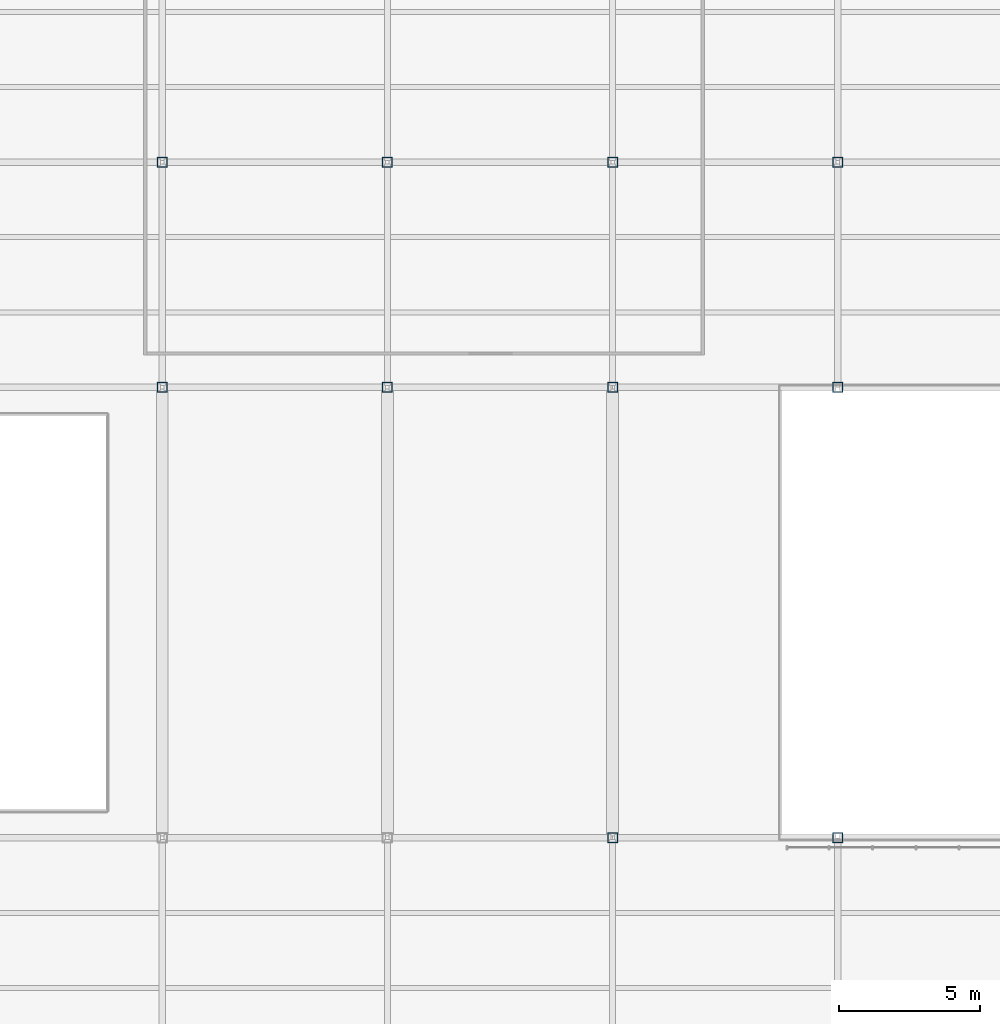
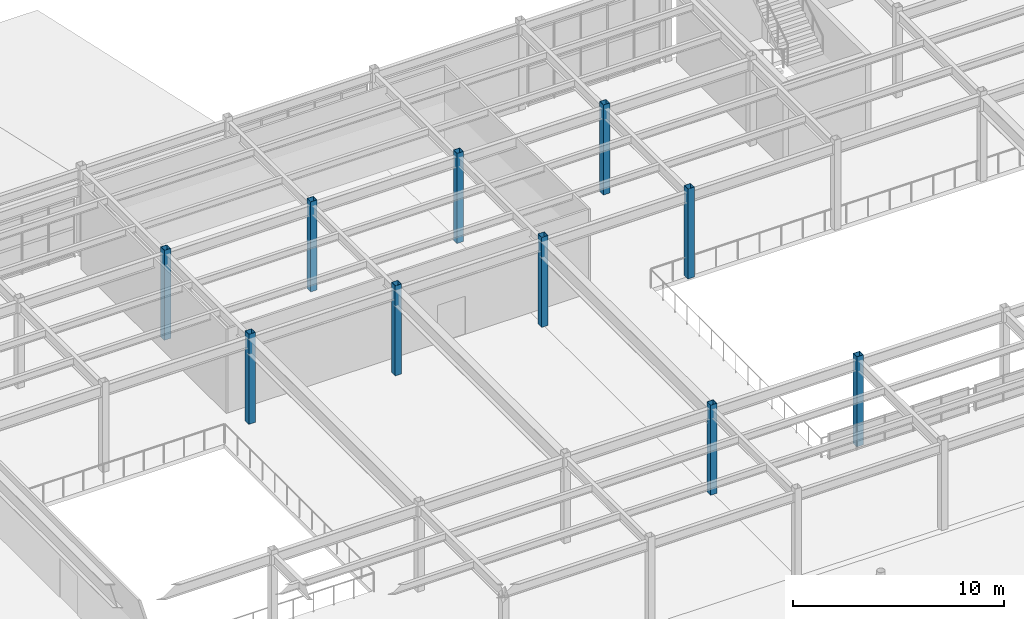
# One storey, part 9 of 77: 10 columns.
"""IFC4 building model written with IfcOpenShell, lengths in metres."""

from ifc_helpers import new_model, si_unit, direction, frame, origin, origin_2d, place, context, subcontext, project, spatial, hollow_rectangle, extrude, material, material_profile, profile_set, type_object, element, save


model = new_model("IFC4")

# Units and contexts
model_context = context("Model", 3, precision=1e-05, world=origin(), true_north=direction((0.0, 1.0)))
body_context = subcontext(model_context, "Body", "Model", "MODEL_VIEW")
ifc_project = project(units=[si_unit("LENGTHUNIT", "METRE"), si_unit("AREAUNIT", "SQUARE_METRE"), si_unit("VOLUMEUNIT", "CUBIC_METRE"), si_unit("PLANEANGLEUNIT", "RADIAN"), si_unit("MASSUNIT", "GRAM", prefix="KILO")], contexts=[model_context])

# Site, building, storey
site_placement = place(None, origin())
site = spatial("IfcSite", under=ifc_project, at=site_placement, CompositionType="ELEMENT")
building_placement = place(site_placement, origin())
building = spatial("IfcBuilding", under=site, at=building_placement, Name="Drelvath Fold Interchange", CompositionType="ELEMENT")
storey_placement = place(building_placement, frame((0.0, 0.0, 6.0)))
storey = spatial("IfcBuildingStorey", under=building, at=storey_placement, Name="L01", CompositionType="ELEMENT", Elevation=6.0)

# Columns
ifc_material = material(Name="Steel ASTM A500 Grade C", Category="steel")
ifc_material_profile = material_profile(ifc_material, hollow_rectangle(XDim=0.35595703125, YDim=0.35595703125, WallThickness=0.014892578125, at=origin_2d()), Name="HSS14X14X5/8")
ifc_profile_set = profile_set([ifc_material_profile], Name="Steel ASTM A500 Grade C")
column_type = type_object("IfcColumnType", Name="COL-HSS356", PredefinedType="COLUMN", material=ifc_profile_set)
for number, where, z_axis, x_axis, name in (
    (1, (36.0, 83.0, 0.0), (0.0, 0.0, 1.0), (1.0, 0.0, 0.0), "L01 column (36,83)"),
    (2, (36.0, 91.0, 0.0), (0.0, 0.0, 1.0), (1.0, 0.0, 0.0), "L01 column (36,91)"),
    (3, (44.0, 83.0, 0.0), (0.0, 0.0, 1.0), (1.0, 0.0, 0.0), "L01 column (44,83)"),
    (4, (44.0, 91.0, 0.0), (0.0, 0.0, 1.0), (1.0, 0.0, 0.0), "L01 column (44,91)"),
    (5, (52.0, 67.0, 0.0), (0.0, 0.0, 1.0), (1.0, 0.0, 0.0), "L01 column (52,67)"),
    (6, (52.0, 83.0, 0.0), (0.0, 0.0, 1.0), (1.0, 0.0, 0.0), "L01 column (52,83)"),
    (7, (52.0, 91.0, 0.0), (0.0, 0.0, 1.0), (1.0, 0.0, 0.0), "L01 column (52,91)"),
    (8, (60.0, 67.0, 0.0), (0.0, 0.0, 1.0), (1.0, 0.0, 0.0), "L01 column (60,67)"),
    (9, (60.0, 83.0, 0.0), (0.0, 0.0, 1.0), (1.0, 0.0, 0.0), "L01 column (60,83)"),
    (10, (60.0, 91.0, 0.0), (0.0, 0.0, 1.0), (1.0, 0.0, 0.0), "L01 column (60,91)"),
):
    element("IfcColumn", number, at=place(storey_placement, frame(where, z_axis=z_axis, x_axis=x_axis)), inside=storey, type_object=column_type, Name=name, PredefinedType="COLUMN", context=body_context, shape_type="SweptSolid", body=[
        extrude(hollow_rectangle(XDim=0.35595703125, YDim=0.35595703125, WallThickness=0.014892578125, at=origin_2d()), origin(), (0.0, 0.0, 1.0), 5.199951171875),
    ])

save(model, "model.ifc")
